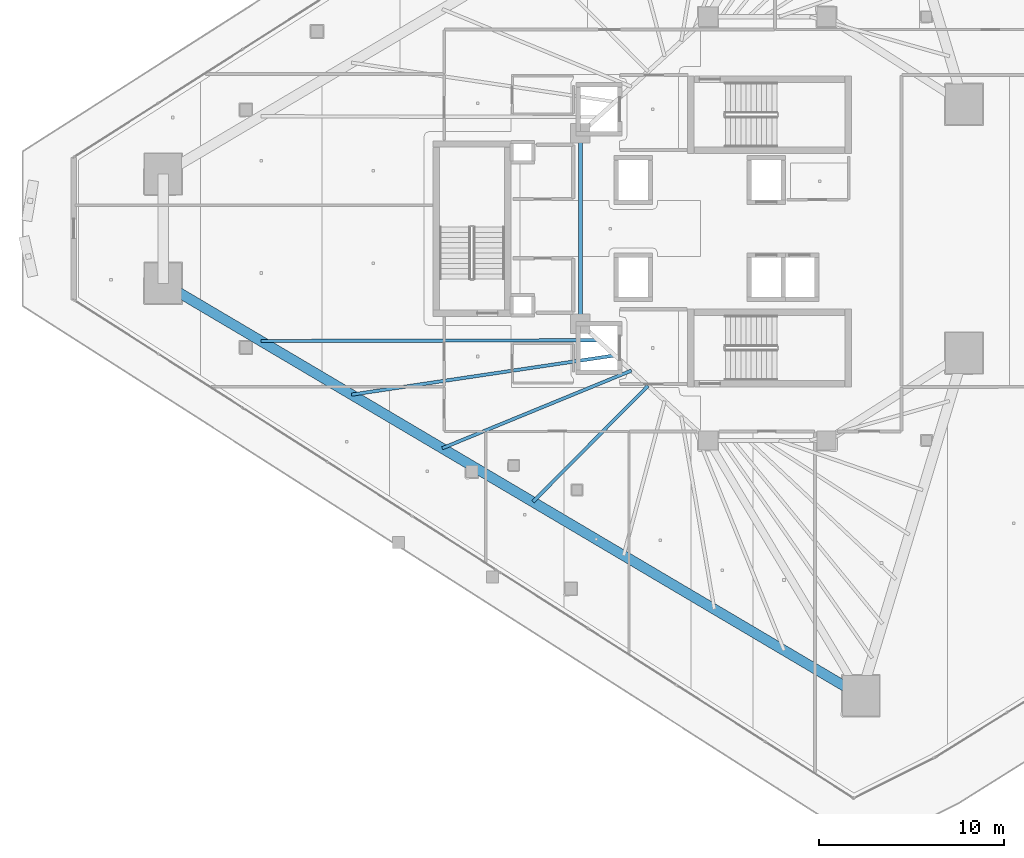
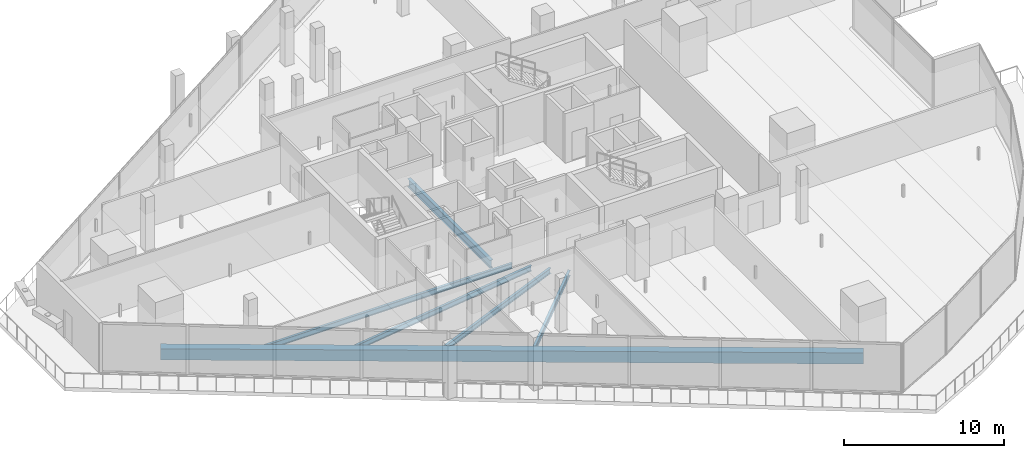
# One storey, part 6 of 42: 6 beams.
"""IFC4 building model written with IfcOpenShell, lengths in metres."""

from ifc_helpers import new_model, si_unit, direction, frame, origin, origin_2d, place, context, subcontext, project, spatial, rectangle, i_section, extrude, material, material_profile, profile_set, type_object, element, save


model = new_model("IFC4")

# Units and contexts
model_context = context("Model", 3, precision=1e-05, world=origin(), true_north=direction((0.0, 1.0)))
body_context = subcontext(model_context, "Body", "Model", "MODEL_VIEW")
ifc_project = project(units=[si_unit("LENGTHUNIT", "METRE"), si_unit("AREAUNIT", "SQUARE_METRE"), si_unit("VOLUMEUNIT", "CUBIC_METRE"), si_unit("PLANEANGLEUNIT", "RADIAN"), si_unit("MASSUNIT", "GRAM", prefix="KILO")], contexts=[model_context])

# Site, building, storey
site_placement = place(None, origin())
site = spatial("IfcSite", under=ifc_project, at=site_placement, CompositionType="ELEMENT")
building_placement = place(site_placement, origin())
building = spatial("IfcBuilding", under=site, at=building_placement, Name="Qorvath Tower", CompositionType="ELEMENT")
storey_placement = place(building_placement, frame((0.0, 0.0, 117.89990234375)))
storey = spatial("IfcBuildingStorey", under=building, at=storey_placement, Name="L26", CompositionType="ELEMENT", Elevation=117.89990234375)

# Beams
ifc_material_1 = material(Name="Steel ASTM A992 Grade 50", Category="steel")
ifc_material_profile_1 = material_profile(ifc_material_1, i_section(OverallWidth=0.22998046875, OverallDepth=0.616943359375, WebThickness=0.01318359375, FlangeThickness=0.022216796875, FilletRadius=0.014892578125, at=origin_2d()), Name="W24x94")
ifc_profile_set_1 = profile_set([ifc_material_profile_1], Name="Steel ASTM A992 Grade 50")
beam_type_1 = type_object("IfcBeamType", Name="BM-FG6", PredefinedType="BEAM", material=ifc_profile_set_1)
beam_1_placement = place(storey_placement, frame((-30.5, -5.14990234375, -0.58837890625), z_axis=(0.0, 1.0, 0.0), x_axis=(-1.0, 0.0, 0.0)))
element("IfcBeam", 1, at=beam_1_placement, inside=storey, type_object=beam_type_1, Name="Core Ring Girder CC6-CC5 L26", PredefinedType="BEAM", context=body_context, shape_type="SweptSolid", body=[
    extrude(i_section(OverallWidth=0.22998046875, OverallDepth=0.616943359375, WebThickness=0.01318359375, FlangeThickness=0.022216796875, FilletRadius=0.014892578125, at=origin_2d()), origin(), (0.0, 0.0, 1.0), 10.2998046875),
])
ifc_material_2 = material(Name="Steel ASTM A992 Grade 50", Category="steel")
ifc_material_profile_2 = material_profile(ifc_material_2, i_section(OverallWidth=0.177978515625, OverallDepth=0.406005859375, WebThickness=0.0078125, FlangeThickness=0.0126953125, FilletRadius=0.010986328125, at=origin_2d()), Name="W16x40")
ifc_profile_set_2 = profile_set([ifc_material_profile_2], Name="Steel ASTM A992 Grade 50")
beam_type_2 = type_object("IfcBeamType", Name="BM-FJ3", PredefinedType="JOIST", material=ifc_profile_set_2)
beam_2_placement = place(storey_placement, frame((-29.533935546875, -6.031982421875, -0.48291015625), z_axis=(-0.999997589883, -0.002195501951, 0.0), x_axis=(0.002195501951, -0.999997589883, 0.0)))
element("IfcBeam", 2, at=beam_2_placement, inside=storey, type_object=beam_type_2, Name="Composite Floor Joist SW1 L26", PredefinedType="JOIST", context=body_context, shape_type="SweptSolid", body=[
    extrude(i_section(OverallWidth=0.177978515625, OverallDepth=0.406005859375, WebThickness=0.0078125, FlangeThickness=0.0126953125, FilletRadius=0.010986328125, at=origin_2d()), origin(), (0.0, 0.0, 1.0), 18.23681640625),
])
beam_3_placement = place(storey_placement, frame((-28.636962890625, -6.85107421875, -0.48291015625), z_axis=(-0.989092860328, -0.147293291256, 0.0), x_axis=(0.147293291256, -0.989092860328, 0.0)))
element("IfcBeam", 3, at=beam_3_placement, inside=storey, type_object=beam_type_2, Name="Composite Floor Joist SW2 L26", PredefinedType="JOIST", context=body_context, shape_type="SweptSolid", body=[
    extrude(i_section(OverallWidth=0.177978515625, OverallDepth=0.406005859375, WebThickness=0.0078125, FlangeThickness=0.0126953125, FilletRadius=0.010986328125, at=origin_2d()), origin(), (0.0, 0.0, 1.0), 14.388916015625),
])
beam_4_placement = place(storey_placement, frame((-27.739990234375, -7.669921875, -0.48291015625), z_axis=(-0.925068176006, -0.379801092338, 0.0), x_axis=(0.379801092338, -0.925068176006, 0.0)))
element("IfcBeam", 4, at=beam_4_placement, inside=storey, type_object=beam_type_2, Name="Composite Floor Joist SW3 L26", PredefinedType="JOIST", context=body_context, shape_type="SweptSolid", body=[
    extrude(i_section(OverallWidth=0.177978515625, OverallDepth=0.406005859375, WebThickness=0.0078125, FlangeThickness=0.0126953125, FilletRadius=0.010986328125, at=origin_2d()), origin(), (0.0, 0.0, 1.0), 11.0556640625),
])
beam_5_placement = place(storey_placement, frame((-26.843017578125, -8.489013671875, -0.48291015625), z_axis=(-0.70395121362, -0.710248328997, 0.0), x_axis=(0.710248328997, -0.70395121362, 0.0)))
element("IfcBeam", 5, at=beam_5_placement, inside=storey, type_object=beam_type_2, Name="Composite Floor Joist SW4 L26", PredefinedType="JOIST", context=body_context, shape_type="SweptSolid", body=[
    extrude(i_section(OverallWidth=0.177978515625, OverallDepth=0.406005859375, WebThickness=0.0078125, FlangeThickness=0.0126953125, FilletRadius=0.010986328125, at=origin_2d()), origin(), (0.0, 0.0, 1.0), 8.839599609375),
])
ifc_material_3 = material(Name="Concrete C50/60", Category="concrete")
ifc_material_profile_3 = material_profile(ifc_material_3, rectangle(XDim=0.550048828125, YDim=0.85009765625, at=origin_2d()), Name="RCB 850x550")
ifc_profile_set_3 = profile_set([ifc_material_profile_3], Name="Concrete C50/60")
beam_type_3 = type_object("IfcBeamType", Name="BM-RCB2", PredefinedType="SPANDREL", material=ifc_profile_set_3)
beam_6_placement = place(storey_placement, frame((-53.04931640625, -2.95068359375, -0.704833984375), z_axis=(0.860775142889, -0.508985415689, 0.0), x_axis=(0.508985415689, 0.860775142889, 0.0)))
element("IfcBeam", 6, at=beam_6_placement, inside=storey, type_object=beam_type_3, Name="Perimeter Loggia Frame Beam MC2-MC3 L26", PredefinedType="SPANDREL", context=body_context, shape_type="SweptSolid", body=[
    extrude(rectangle(XDim=0.550048828125, YDim=0.85009765625, at=origin_2d()), origin(), (0.0, 0.0, 1.0), 43.8037109375),
])

save(model, "model.ifc")
